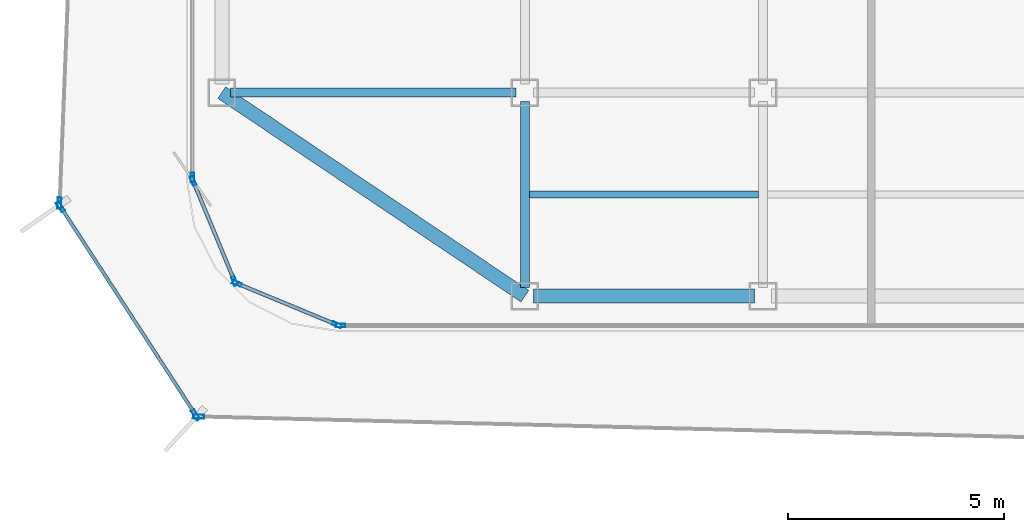
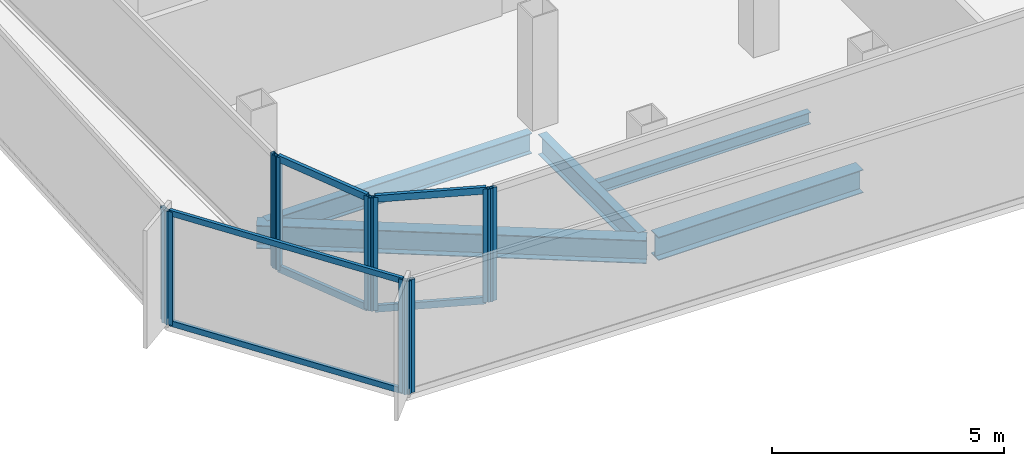
# One storey, part 2 of 15: 16 members, 5 beams, 7 elements without a shape of their own.
"""IFC4 building model written with IfcOpenShell, lengths in metres."""

import ifcopenshell
import ifcopenshell.guid

model = None  # the IFC model being written
_history = None  # IfcOwnerHistory: only IFC2X3 demands one
_inside = {}  # id of a spatial element -> (the spatial element, [elements in it])
_under = {}  # id of a project, library or spatial element -> (it, [spatial elements below it])
_declared = {}  # id of a project -> (the project, [libraries it declares])
_typed = {}  # id of a type object -> (the type object, [elements of that type])
_made_of = {}  # id of a material, layer set ... -> (it, [elements and type objects made of it])


def new_model(schema):
    """Start an empty IFC model of exactly this schema.

    Asked for "IFC4X3", IfcOpenShell would pick the latest addendum, in which some entities
    have other attributes; the version numbers below select the first issue.
    IFC2X3 requires an IfcOwnerHistory on every rooted entity: one is made here for all.
    """
    global model, _history
    if schema == "IFC4X3":
        model = ifcopenshell.file(schema_version=(4, 3, 0, 0))
    else:
        model = ifcopenshell.file(schema=schema)
    _inside.clear()
    _under.clear()
    _declared.clear()
    _typed.clear()
    _made_of.clear()
    _history = None
    if model.schema == "IFC2X3":
        org = make("IfcOrganization", Name="unknown")
        user = make(
            "IfcPersonAndOrganization",
            ThePerson=make("IfcPerson", FamilyName="unknown"),
            TheOrganization=org,
        )
        app = make(
            "IfcApplication",
            ApplicationDeveloper=org,
            Version="unknown",
            ApplicationFullName="unknown",
            ApplicationIdentifier="unknown",
        )
        _history = make(
            "IfcOwnerHistory",
            OwningUser=user,
            OwningApplication=app,
            ChangeAction="ADDED",
            CreationDate=0,
        )
    return model


def make(cls, **values):
    """One entity of the class cls with the attributes given. An attribute that is None is left unset."""
    return model.create_entity(
        cls, **{name: value for name, value in values.items() if value is not None}
    )


def rooted(cls, **values):
    """An entity with a GlobalId (a new one), such as an element, a storey or a relation."""
    return make(cls, GlobalId=ifcopenshell.guid.new(), OwnerHistory=_history, **values)


def si_unit(unit_type, name, prefix=None):
    """IfcSIUnit, for example si_unit("LENGTHUNIT", "METRE", prefix="MILLI")."""
    return make("IfcSIUnit", UnitType=unit_type, Prefix=prefix, Name=name)


def assignment(units):
    """IfcUnitAssignment: the units of a project."""
    return None if units is None else make("IfcUnitAssignment", Units=units)


def point(xyz):
    """IfcCartesianPoint."""
    return None if xyz is None else make("IfcCartesianPoint", Coordinates=xyz)


def direction(xyz):
    """IfcDirection."""
    return None if xyz is None else make("IfcDirection", DirectionRatios=xyz)


def frame(location, z_axis=None, x_axis=None):
    """IfcAxis2Placement3D, a coordinate frame: its origin and axes. An axis left out is left unset."""
    return make(
        "IfcAxis2Placement3D",
        Location=point(location),
        Axis=direction(z_axis),
        RefDirection=direction(x_axis),
    )


def frame_2d(location, x_axis=None):
    """IfcAxis2Placement2D, a coordinate frame in the plane: its origin and x axis."""
    return make(
        "IfcAxis2Placement2D", Location=point(location), RefDirection=direction(x_axis)
    )


def origin():
    """The frame at (0, 0, 0) with its axes left unset."""
    return frame((0.0, 0.0, 0.0))


def origin_2d():
    """The frame at (0, 0) in the plane with its x axis left unset."""
    return frame_2d((0.0, 0.0))


def place(relative_to, where):
    """IfcLocalPlacement: puts the frame where relative to a parent placement (None: the world)."""
    return make(
        "IfcLocalPlacement", PlacementRelTo=relative_to, RelativePlacement=where
    )


def context(
    kind, dimensions, precision=None, world=None, true_north=None, identifier=None
):
    """IfcGeometricRepresentationContext, for example the 3D "Model" context."""
    return make(
        "IfcGeometricRepresentationContext",
        ContextIdentifier=identifier,
        ContextType=kind,
        CoordinateSpaceDimension=dimensions,
        Precision=precision,
        WorldCoordinateSystem=world,
        TrueNorth=true_north,
    )


def subcontext(parent, identifier, kind, view, scale=None):
    """IfcGeometricRepresentationSubContext, for example "Body" below "Model"."""
    return make(
        "IfcGeometricRepresentationSubContext",
        ContextIdentifier=identifier,
        ContextType=kind,
        ParentContext=parent,
        TargetScale=scale,
        TargetView=view,
    )


def project(units=None, contexts=None):
    """IfcProject with its units and contexts."""
    return rooted(
        "IfcProject",
        Name="project",
        RepresentationContexts=contexts,
        UnitsInContext=assignment(units),
    )


def spatial(cls, under=None, at=None, **own):
    """A site, building, storey or space (cls), placed at a placement, below another one or the project."""
    s = rooted(cls, ObjectPlacement=at, **own)
    if under is not None:
        _under.setdefault(under.id(), (under, []))[1].append(s)
    return s


def profile(cls, at=None, kind="AREA", **sizes):
    """A parametric profile (cls). Its sizes go by their IFC names, for example OverallWidth=200.0."""
    return make(cls, ProfileType=kind, Position=at, **sizes)


def hollow_rectangle(**sizes):
    """IfcRectangleHollowProfileDef."""
    return profile("IfcRectangleHollowProfileDef", **sizes)


def i_section(**sizes):
    """IfcIShapeProfileDef."""
    return profile("IfcIShapeProfileDef", **sizes)


def extrude(swept, where, along, depth):
    """IfcExtrudedAreaSolid: the profile swept, set in the frame where, extruded along a direction by depth."""
    return make(
        "IfcExtrudedAreaSolid",
        SweptArea=swept,
        Position=where,
        ExtrudedDirection=direction(along),
        Depth=depth,
    )


def shape(context_of_items, identifier, shape_type, items):
    """IfcShapeRepresentation: the items that make up one representation, for example the "Body"."""
    return make(
        "IfcShapeRepresentation",
        ContextOfItems=context_of_items,
        RepresentationIdentifier=identifier,
        RepresentationType=shape_type,
        Items=items,
    )


def source(mapping_origin, context_of_items, identifier, shape_type, items):
    """IfcRepresentationMap: a shape defined once, which mapped items show again and again."""
    return make(
        "IfcRepresentationMap",
        MappingOrigin=mapping_origin,
        MappedRepresentation=shape(context_of_items, identifier, shape_type, items),
    )


def transform(
    local_origin,
    x_axis=None,
    y_axis=None,
    z_axis=None,
    scale=None,
    scale2=None,
    scale3=None,
    uniform=True,
):
    """IfcCartesianTransformationOperator3D, or its non-uniform kind. x_axis, y_axis, z_axis: its Axis1, 2, 3."""
    if uniform:
        return make(
            "IfcCartesianTransformationOperator3D",
            Axis1=direction(x_axis),
            Axis2=direction(y_axis),
            LocalOrigin=point(local_origin),
            Scale=scale,
            Axis3=direction(z_axis),
        )
    return make(
        "IfcCartesianTransformationOperator3DnonUniform",
        Axis1=direction(x_axis),
        Axis2=direction(y_axis),
        LocalOrigin=point(local_origin),
        Scale=scale,
        Axis3=direction(z_axis),
        Scale2=scale2,
        Scale3=scale3,
    )


def mapped(mapping_source, mapping_target):
    """IfcMappedItem: shows the shape of a source again, moved by a transform."""
    return make(
        "IfcMappedItem", MappingSource=mapping_source, MappingTarget=mapping_target
    )


def material(Name=None, Category=None):
    """IfcMaterial."""
    return make("IfcMaterial", Name=Name, Category=Category)


def layer(
    of_material, thickness, ventilated=None, Name=None, Category=None, Priority=None
):
    """IfcMaterialLayer: one layer of a wall or slab, of a material (None: an air gap)."""
    return make(
        "IfcMaterialLayer",
        Material=of_material,
        LayerThickness=thickness,
        IsVentilated=ventilated,
        Name=Name,
        Category=Category,
        Priority=Priority,
    )


def layer_set(layers, Name=None):
    """IfcMaterialLayerSet."""
    return make("IfcMaterialLayerSet", MaterialLayers=layers, LayerSetName=Name)


def material_profile(
    of_material, cross_section, Name=None, Category=None, Priority=None
):
    """IfcMaterialProfile: a cross section and its material."""
    return make(
        "IfcMaterialProfile",
        Name=Name,
        Material=of_material,
        Profile=cross_section,
        Priority=Priority,
        Category=Category,
    )


def profile_set(profiles, Name=None, composite=None):
    """IfcMaterialProfileSet."""
    return make(
        "IfcMaterialProfileSet",
        Name=Name,
        MaterialProfiles=profiles,
        CompositeProfile=composite,
    )


def made_of(thing, what):
    """Note that an element or type object is made of a material, layer set ...; save() writes the relation."""
    if what is not None:
        _made_of.setdefault(what.id(), (what, []))[1].append(thing)
    return thing


def type_object(cls, material=None, **own):
    """A type object (cls), such as IfcWallType, which elements share."""
    return made_of(rooted(cls, **own), material)


def element(
    cls,
    number,
    at=None,
    inside=None,
    cuts=None,
    type_object=None,
    material=None,
    context=None,
    identifier="Body",
    shape_type=None,
    held_by="IfcProductDefinitionShape",
    body=None,
    shapes=None,
    **own,
):
    """One element of the class cls, such as IfcWall. Its Tag is "e" and its number.

    at: its placement. inside: the storey or other place that contains it. cuts: it is an
    opening in that element (IfcRelVoidsElement). A single representation is given by context,
    identifier, shape_type and body (its items); several are given by shapes. held_by: the class
    of the entity that holds the representations. save() writes the other relations.
    """
    e = rooted(cls, Tag="e%d" % number, ObjectPlacement=at, **own)
    if body is not None:
        shapes = [shape(context, identifier, shape_type, body)]
    if shapes is not None:
        e.Representation = make(held_by, Representations=shapes)
    if inside is not None:
        _inside.setdefault(inside.id(), (inside, []))[1].append(e)
    if cuts is not None:
        rooted(
            "IfcRelVoidsElement", RelatingBuildingElement=cuts, RelatedOpeningElement=e
        )
    if type_object is not None:
        _typed.setdefault(type_object.id(), (type_object, []))[1].append(e)
    return made_of(e, material)


def aggregate(whole, parts):
    """IfcRelAggregates: a whole, such as a stair, and the parts it consists of."""
    return rooted("IfcRelAggregates", RelatingObject=whole, RelatedObjects=parts)


def save(model, path):
    """Write the relations noted so far, then the file.

    IfcRelAggregates (storeys below a building ...), IfcRelContainedInSpatialStructure (elements
    in a storey), IfcRelDefinesByType, IfcRelAssociatesMaterial and IfcRelDeclares: one each for
    every whole, place, type object, material and project.
    """
    for whole, parts in _under.values():
        aggregate(whole, parts)
    for where, things in _inside.values():
        rooted(
            "IfcRelContainedInSpatialStructure",
            RelatedElements=things,
            RelatingStructure=where,
        )
    for kind, things in _typed.values():
        rooted("IfcRelDefinesByType", RelatedObjects=things, RelatingType=kind)
    for what, things in _made_of.values():
        rooted("IfcRelAssociatesMaterial", RelatedObjects=things, RelatingMaterial=what)
    for by, libraries in _declared.values():
        rooted("IfcRelDeclares", RelatingContext=by, RelatedDefinitions=libraries)
    model.write(path)


model = new_model("IFC4")

# Units and contexts
model_context = context("Model", 3, precision=1e-05, world=origin(), true_north=direction((0.0, 1.0)))
body_context = subcontext(model_context, "Body", "Model", "MODEL_VIEW")
ifc_project = project(units=[si_unit("LENGTHUNIT", "METRE"), si_unit("AREAUNIT", "SQUARE_METRE"), si_unit("VOLUMEUNIT", "CUBIC_METRE"), si_unit("PLANEANGLEUNIT", "RADIAN"), si_unit("MASSUNIT", "GRAM", prefix="KILO")], contexts=[model_context])

# Site, building, storey
site_placement = place(None, origin())
site = spatial("IfcSite", under=ifc_project, at=site_placement, CompositionType="ELEMENT")
building_placement = place(site_placement, origin())
building = spatial("IfcBuilding", under=site, at=building_placement, Name="Kolveth Station Tower", CompositionType="ELEMENT")
storey_placement = place(building_placement, frame((0.0, 0.0, 268.10009765625)))
storey = spatial("IfcBuildingStorey", under=building, at=storey_placement, Name="L77", CompositionType="ELEMENT", Elevation=268.10009765625)

# Beams
ifc_material_1 = material(Name="Steel S355", Category="steel")
ifc_material_profile_1 = material_profile(ifc_material_1, i_section(OverallWidth=0.323974609375, OverallDepth=0.611083984375, WebThickness=0.0126953125, FlangeThickness=0.01904296875, at=origin_2d()), Name="W610x155")
ifc_profile_set_1 = profile_set([ifc_material_profile_1], Name="Steel S355")
beam_type_1 = type_object("IfcBeamType", Name="Beam_SP2", PredefinedType="SPANDREL", material=ifc_profile_set_1)
shared_shape_1 = source(origin(), body_context, "Body", "SweptSolid", [
    extrude(i_section(OverallWidth=0.323974609375, OverallDepth=0.611083984375, WebThickness=0.0126953125, FlangeThickness=0.01904296875, at=origin_2d()), origin(), (0.0, 0.0, 1.0), 8.431396484375),
])
beam_1_placement = place(storey_placement, frame((6.0, 5.5, -0.525634765625), z_axis=(0.830223811004, -0.557430196206, 0.0), x_axis=(0.557430196206, 0.830223811004, 0.0)))
element("IfcBeam", 1, at=beam_1_placement, inside=storey, type_object=beam_type_1, Name="L77 Corner Edge Girder BM-L77-CNR-SW", PredefinedType="SPANDREL", context=body_context, shape_type="MappedRepresentation", body=[
    mapped(shared_shape_1, transform((0.0, 0.0, 0.0), x_axis=(1.0, 0.0, 0.0), y_axis=(0.0, 1.0, 0.0), z_axis=(0.0, 0.0, 1.0), scale=1.0)),
])
shared_shape_2 = source(origin(), body_context, "Body", "SweptSolid", [
    extrude(i_section(OverallWidth=0.323974609375, OverallDepth=0.611083984375, WebThickness=0.0126953125, FlangeThickness=0.01904296875, at=origin_2d()), origin(), (0.0, 0.0, 1.0), 5.10009765625),
])
beam_2_placement = place(storey_placement, frame((13.199951171875, 0.800048828125, -0.525634765625), z_axis=(1.0, 0.0, 0.0), x_axis=(0.0, 1.0, 0.0)))
element("IfcBeam", 2, at=beam_2_placement, inside=storey, type_object=beam_type_1, Name="L77 Perimeter Spandrel BM-L77-PS-1", PredefinedType="SPANDREL", context=body_context, shape_type="MappedRepresentation", body=[
    mapped(shared_shape_2, transform((0.0, 0.0, 0.0), x_axis=(1.0, 0.0, 0.0), y_axis=(0.0, 1.0, 0.0), z_axis=(0.0, 0.0, 1.0), scale=1.0)),
])
ifc_material_profile_2 = material_profile(ifc_material_1, i_section(OverallWidth=0.2099609375, OverallDepth=0.537109375, WebThickness=0.010986328125, FlangeThickness=0.017333984375, at=origin_2d()), Name="W530x101")
ifc_profile_set_2 = profile_set([ifc_material_profile_2], Name="Steel S355")
beam_type_2 = type_object("IfcBeamType", Name="Beam_B6", PredefinedType="BEAM", material=ifc_profile_set_2)
shared_shape_3 = source(origin(), body_context, "Body", "SweptSolid", [
    extrude(i_section(OverallWidth=0.2099609375, OverallDepth=0.537109375, WebThickness=0.010986328125, FlangeThickness=0.017333984375, at=origin_2d()), origin(), (0.0, 0.0, 1.0), 6.60009765625),
])
beam_3_placement = place(storey_placement, frame((6.199951171875, 5.5, -0.488525390625), z_axis=(1.0, 0.0, 0.0), x_axis=(0.0, 1.0, 0.0)))
element("IfcBeam", 3, at=beam_3_placement, inside=storey, type_object=beam_type_2, Name="L77 Primary Girder BM-L77-GY55-1", PredefinedType="BEAM", context=body_context, shape_type="MappedRepresentation", body=[
    mapped(shared_shape_3, transform((0.0, 0.0, 0.0), x_axis=(1.0, 0.0, 0.0), y_axis=(0.0, 1.0, 0.0), z_axis=(0.0, 0.0, 1.0), scale=1.0)),
])
shared_shape_4 = source(origin(), body_context, "Body", "SweptSolid", [
    extrude(i_section(OverallWidth=0.2099609375, OverallDepth=0.537109375, WebThickness=0.010986328125, FlangeThickness=0.017333984375, at=origin_2d()), origin(), (0.0, 0.0, 1.0), 4.300048828125),
])
beam_4_placement = place(storey_placement, frame((13.0, 1.0, -0.488525390625), z_axis=(0.0, 1.0, 0.0), x_axis=(-1.0, 0.0, 0.0)))
element("IfcBeam", 4, at=beam_4_placement, inside=storey, type_object=beam_type_2, Name="L77 Primary Girder BM-L77-GX130-1", PredefinedType="BEAM", context=body_context, shape_type="MappedRepresentation", body=[
    mapped(shared_shape_4, transform((0.0, 0.0, 0.0), x_axis=(1.0, 0.0, 0.0), y_axis=(0.0, 1.0, 0.0), z_axis=(0.0, 0.0, 1.0), scale=1.0)),
])
ifc_material_profile_3 = material_profile(ifc_material_1, i_section(OverallWidth=0.1650390625, OverallDepth=0.31005859375, WebThickness=0.005859375, FlangeThickness=0.009765625, at=origin_2d()), Name="W310x39")
ifc_profile_set_3 = profile_set([ifc_material_profile_3], Name="Steel S355")
beam_type_3 = type_object("IfcBeamType", Name="Beam_J3", PredefinedType="JOIST", material=ifc_profile_set_3)
shared_shape_5 = source(origin(), body_context, "Body", "SweptSolid", [
    extrude(i_section(OverallWidth=0.1650390625, OverallDepth=0.31005859375, WebThickness=0.005859375, FlangeThickness=0.009765625, at=origin_2d()), origin(), (0.0, 0.0, 1.0), 5.2939453125),
])
beam_5_placement = place(storey_placement, frame((13.10302734375, 3.14990234375, -0.375), z_axis=(1.0, 0.0, 0.0), x_axis=(0.0, 1.0, 0.0)))
element("IfcBeam", 5, at=beam_5_placement, inside=storey, type_object=beam_type_3, Name="L77 Secondary Joist JST-L77-2-1", PredefinedType="JOIST", context=body_context, shape_type="MappedRepresentation", body=[
    mapped(shared_shape_5, transform((0.0, 0.0, 0.0), x_axis=(1.0, 0.0, 0.0), y_axis=(0.0, 1.0, 0.0), z_axis=(0.0, 0.0, 1.0), scale=1.0)),
])

# Curtain wall, member
ifc_material_2 = material(Name="Aluminium 6063-T6 and triple low-E dark glass", Category="aluminium")
ifc_layer_1 = layer(ifc_material_2, 0.199951171875)
ifc_layer_set_1 = layer_set([ifc_layer_1], Name="Aluminium 6063-T6 and triple low-E dark glass")
curtain_wall_type_1 = type_object("IfcCurtainWallType", Name="CurtainWall_CW-Z3", PredefinedType="NOTDEFINED", material=ifc_layer_set_1)
curtain_wall_1_placement = place(storey_placement, origin())
curtain_wall_1 = element("IfcCurtainWall", 6, at=curtain_wall_1_placement, inside=storey, type_object=curtain_wall_type_1, Name="L77 Inner Thermal Curtain Wall 9", PredefinedType="NOTDEFINED")
ifc_material_3 = material(Name="Black anodized aluminium 6063-T6", Category="aluminium")
ifc_material_profile_4 = material_profile(ifc_material_3, hollow_rectangle(XDim=0.0849609375, YDim=0.215087890625, WallThickness=0.0048828125, at=origin_2d()), Name="ALU-85x215x5")
ifc_profile_set_4 = profile_set([ifc_material_profile_4], Name="Black anodized aluminium 6063-T6")
member_type_1 = type_object("IfcMemberType", Name="Mullion_ML3", PredefinedType="MULLION", material=ifc_profile_set_4)
shared_shape_6 = source(origin(), body_context, "Body", "SweptSolid", [
    extrude(hollow_rectangle(XDim=0.0849609375, YDim=0.215087890625, WallThickness=0.0048828125, at=origin_2d()), origin(), (0.0, 0.0, 1.0), 2.97998046875),
])
member_1_placement = place(storey_placement, frame((5.320068359375, 3.54248046875, 0.0), z_axis=(0.0, 0.0, 1.0), x_axis=(1.0, 0.0, 0.0)))
member_1 = element("IfcMember", 7, at=member_1_placement, type_object=member_type_1, Name="CW-Z3 mullion 2", PredefinedType="MULLION", context=body_context, shape_type="MappedRepresentation", body=[
    mapped(shared_shape_6, transform((0.0, 0.0, 0.0), x_axis=(1.0, 0.0, 0.0), y_axis=(0.0, 1.0, 0.0), z_axis=(0.0, 0.0, 1.0), scale=1.0)),
])
aggregate(curtain_wall_1, [member_1])

# Curtain wall, members
curtain_wall_2_placement = place(storey_placement, origin())
curtain_wall_2 = element("IfcCurtainWall", 8, at=curtain_wall_2_placement, inside=storey, type_object=curtain_wall_type_1, Name="L77 Inner Thermal Curtain Wall 10", PredefinedType="NOTDEFINED")
member_2_placement = place(storey_placement, frame((5.336181640625, 3.460693359375, 0.0), z_axis=(0.0, 0.0, 1.0), x_axis=(0.923875488975, 0.382693194181, 0.0)))
member_2 = element("IfcMember", 9, at=member_2_placement, type_object=member_type_1, Name="CW-Z3 mullion 1", PredefinedType="MULLION", context=body_context, shape_type="MappedRepresentation", body=[
    mapped(shared_shape_6, transform((0.0, 0.0, 0.0), x_axis=(1.0, 0.0, 0.0), y_axis=(0.0, 1.0, 0.0), z_axis=(0.0, 0.0, 1.0), scale=1.0)),
])
member_3_placement = place(storey_placement, frame((6.293701171875, 1.149169921875, 0.0), z_axis=(0.0, 0.0, 1.0), x_axis=(0.923875488975, 0.382693194181, 0.0)))
member_3 = element("IfcMember", 10, at=member_3_placement, type_object=member_type_1, Name="CW-Z3 mullion 2", PredefinedType="MULLION", context=body_context, shape_type="MappedRepresentation", body=[
    mapped(shared_shape_6, transform((0.0, 0.0, 0.0), x_axis=(1.0, 0.0, 0.0), y_axis=(0.0, 1.0, 0.0), z_axis=(0.0, 0.0, 1.0), scale=1.0)),
])

curtain_wall_3_placement = place(storey_placement, origin())
curtain_wall_3 = element("IfcCurtainWall", 11, at=curtain_wall_3_placement, inside=storey, type_object=curtain_wall_type_1, Name="L77 Inner Thermal Curtain Wall 11", PredefinedType="NOTDEFINED")
member_4_placement = place(storey_placement, frame((6.349365234375, 1.09375, 0.0), z_axis=(0.0, 0.0, 1.0), x_axis=(0.382693194181, 0.923875488975, 0.0)))
member_4 = element("IfcMember", 12, at=member_4_placement, type_object=member_type_1, Name="CW-Z3 mullion 1", PredefinedType="MULLION", context=body_context, shape_type="MappedRepresentation", body=[
    mapped(shared_shape_6, transform((0.0, 0.0, 0.0), x_axis=(1.0, 0.0, 0.0), y_axis=(0.0, 1.0, 0.0), z_axis=(0.0, 0.0, 1.0), scale=1.0)),
])
member_5_placement = place(storey_placement, frame((8.66064453125, 0.13623046875, 0.0), z_axis=(0.0, 0.0, 1.0), x_axis=(0.382693194181, 0.923875488975, 0.0)))
member_5 = element("IfcMember", 13, at=member_5_placement, type_object=member_type_1, Name="CW-Z3 mullion 2", PredefinedType="MULLION", context=body_context, shape_type="MappedRepresentation", body=[
    mapped(shared_shape_6, transform((0.0, 0.0, 0.0), x_axis=(1.0, 0.0, 0.0), y_axis=(0.0, 1.0, 0.0), z_axis=(0.0, 0.0, 1.0), scale=1.0)),
])

# Curtain wall, member
curtain_wall_4_placement = place(storey_placement, origin())
curtain_wall_4 = element("IfcCurtainWall", 14, at=curtain_wall_4_placement, inside=storey, type_object=curtain_wall_type_1, Name="L77 Inner Thermal Curtain Wall 12", PredefinedType="NOTDEFINED")
member_6_placement = place(storey_placement, frame((8.742431640625, 0.1201171875, 0.0), z_axis=(0.0, 0.0, 1.0), x_axis=(0.0, 1.0, 0.0)))
member_6 = element("IfcMember", 15, at=member_6_placement, type_object=member_type_1, Name="CW-Z3 mullion 1", PredefinedType="MULLION", context=body_context, shape_type="MappedRepresentation", body=[
    mapped(shared_shape_6, transform((0.0, 0.0, 0.0), x_axis=(1.0, 0.0, 0.0), y_axis=(0.0, 1.0, 0.0), z_axis=(0.0, 0.0, 1.0), scale=1.0)),
])
aggregate(curtain_wall_4, [member_6])

# Member
ifc_material_profile_5 = material_profile(ifc_material_3, hollow_rectangle(XDim=0.0849609375, YDim=0.179931640625, WallThickness=0.0048828125, at=origin_2d()), Name="ALU-85x180x5")
ifc_profile_set_5 = profile_set([ifc_material_profile_5], Name="Black anodized aluminium 6063-T6")
member_type_2 = type_object("IfcMemberType", Name="Transom_TR3", PredefinedType="USERDEFINED", material=ifc_profile_set_5)
shared_shape_7 = source(origin(), body_context, "Body", "SweptSolid", [
    extrude(hollow_rectangle(XDim=0.0849609375, YDim=0.179931640625, WallThickness=0.0048828125, at=origin_2d()), origin(), (0.0, 0.0, 1.0), 2.4169921875),
])
member_7_placement = place(storey_placement, frame((5.3525390625, 3.42138671875, 0.04248046875), z_axis=(0.382735401206, -0.9238580046, 0.0), x_axis=(0.9238580046, 0.382735401206, 0.0)))
member_7 = element("IfcMember", 16, at=member_7_placement, type_object=member_type_2, Name="CW-Z3 transom 1.1", ObjectType="TRANSOM", PredefinedType="USERDEFINED", context=body_context, shape_type="MappedRepresentation", body=[
    mapped(shared_shape_7, transform((0.0, 0.0, 0.0), x_axis=(1.0, 0.0, 0.0), y_axis=(0.0, 1.0, 0.0), z_axis=(0.0, 0.0, 1.0), scale=1.0)),
])

member_8_placement = place(storey_placement, frame((5.3525390625, 3.42138671875, 2.9375), z_axis=(0.382735401206, -0.9238580046, 0.0), x_axis=(0.9238580046, 0.382735401206, 0.0)))
member_8 = element("IfcMember", 17, at=member_8_placement, type_object=member_type_2, Name="CW-Z3 transom 1.2", ObjectType="TRANSOM", PredefinedType="USERDEFINED", context=body_context, shape_type="MappedRepresentation", body=[
    mapped(shared_shape_7, transform((0.0, 0.0, 0.0), x_axis=(1.0, 0.0, 0.0), y_axis=(0.0, 1.0, 0.0), z_axis=(0.0, 0.0, 1.0), scale=1.0)),
])

aggregate(curtain_wall_2, [member_2, member_3, member_7, member_8])

member_9_placement = place(storey_placement, frame((6.388427734375, 1.077392578125, 0.04248046875), z_axis=(0.923908507952, -0.382613471971, 0.0), x_axis=(0.382613471971, 0.923908507952, 0.0)))
member_9 = element("IfcMember", 18, at=member_9_placement, type_object=member_type_2, Name="CW-Z3 transom 1.1", ObjectType="TRANSOM", PredefinedType="USERDEFINED", context=body_context, shape_type="MappedRepresentation", body=[
    mapped(shared_shape_7, transform((0.0, 0.0, 0.0), x_axis=(1.0, 0.0, 0.0), y_axis=(0.0, 1.0, 0.0), z_axis=(0.0, 0.0, 1.0), scale=1.0)),
])

member_10_placement = place(storey_placement, frame((6.388427734375, 1.077392578125, 2.9375), z_axis=(0.923908507952, -0.382613471971, 0.0), x_axis=(0.382613471971, 0.923908507952, 0.0)))
member_10 = element("IfcMember", 19, at=member_10_placement, type_object=member_type_2, Name="CW-Z3 transom 1.2", ObjectType="TRANSOM", PredefinedType="USERDEFINED", context=body_context, shape_type="MappedRepresentation", body=[
    mapped(shared_shape_7, transform((0.0, 0.0, 0.0), x_axis=(1.0, 0.0, 0.0), y_axis=(0.0, 1.0, 0.0), z_axis=(0.0, 0.0, 1.0), scale=1.0)),
])

aggregate(curtain_wall_3, [member_4, member_5, member_9, member_10])

# Curtain wall, member
ifc_material_4 = material(Name="Black anodized aluminium 6063-T6 and dark solar glass", Category="aluminium")
ifc_layer_2 = layer(ifc_material_4, 0.159912109375)
ifc_layer_set_2 = layer_set([ifc_layer_2], Name="Black anodized aluminium 6063-T6 and dark solar glass")
curtain_wall_type_2 = type_object("IfcCurtainWallType", Name="OUTER SKIN CW-OS", PredefinedType="NOTDEFINED", material=ifc_layer_set_2)
curtain_wall_5_placement = place(storey_placement, origin())
curtain_wall_5 = element("IfcCurtainWall", 20, at=curtain_wall_5_placement, inside=storey, type_object=curtain_wall_type_2, Name="L77 Outer Ventilated Skin Curtain Wall 6", PredefinedType="NOTDEFINED")
ifc_material_profile_6 = material_profile(ifc_material_3, hollow_rectangle(XDim=0.090087890625, YDim=0.260009765625, WallThickness=0.0048828125, at=origin_2d()), Name="ALU-90x260x5")
ifc_profile_set_6 = profile_set([ifc_material_profile_6], Name="Black anodized aluminium 6063-T6")
member_type_3 = type_object("IfcMemberType", Name="FIN MULLION ML-OS", PredefinedType="MULLION", material=ifc_profile_set_6)
shared_shape_8 = source(origin(), body_context, "Body", "SweptSolid", [
    extrude(hollow_rectangle(XDim=0.090087890625, YDim=0.260009765625, WallThickness=0.0048828125, at=origin_2d()), origin(), (0.0, 0.0, 1.0), 2.97998046875),
])
member_11_placement = place(storey_placement, frame((2.25, 2.948486328125, 0.0), z_axis=(0.0, 0.0, 1.0), x_axis=(0.999214682363, -0.039623459591, 0.0)))
member_11 = element("IfcMember", 21, at=member_11_placement, type_object=member_type_3, Name="CW-OS mullion 2", PredefinedType="MULLION", context=body_context, shape_type="MappedRepresentation", body=[
    mapped(shared_shape_8, transform((0.0, 0.0, 0.0), x_axis=(1.0, 0.0, 0.0), y_axis=(0.0, 1.0, 0.0), z_axis=(0.0, 0.0, 1.0), scale=1.0)),
])
aggregate(curtain_wall_5, [member_11])

# Curtain wall, members
curtain_wall_6_placement = place(storey_placement, origin())
curtain_wall_6 = element("IfcCurtainWall", 22, at=curtain_wall_6_placement, inside=storey, type_object=curtain_wall_type_2, Name="L77 Outer Ventilated Skin Curtain Wall 7", PredefinedType="NOTDEFINED")
member_12_placement = place(storey_placement, frame((2.272705078125, 2.865966796875, 0.0), z_axis=(0.0, 0.0, 1.0), x_axis=(0.838735651657, 0.544538801776, 0.0)))
member_12 = element("IfcMember", 23, at=member_12_placement, type_object=member_type_3, Name="CW-OS mullion 1", PredefinedType="MULLION", context=body_context, shape_type="MappedRepresentation", body=[
    mapped(shared_shape_8, transform((0.0, 0.0, 0.0), x_axis=(1.0, 0.0, 0.0), y_axis=(0.0, 1.0, 0.0), z_axis=(0.0, 0.0, 1.0), scale=1.0)),
])
member_13_placement = place(storey_placement, frame((5.396240234375, -1.945068359375, 0.0), z_axis=(0.0, 0.0, 1.0), x_axis=(0.838735651657, 0.544538801776, 0.0)))
member_13 = element("IfcMember", 24, at=member_13_placement, type_object=member_type_3, Name="CW-OS mullion 2", PredefinedType="MULLION", context=body_context, shape_type="MappedRepresentation", body=[
    mapped(shared_shape_8, transform((0.0, 0.0, 0.0), x_axis=(1.0, 0.0, 0.0), y_axis=(0.0, 1.0, 0.0), z_axis=(0.0, 0.0, 1.0), scale=1.0)),
])

# Curtain wall, member
curtain_wall_7_placement = place(storey_placement, origin())
curtain_wall_7 = element("IfcCurtainWall", 25, at=curtain_wall_7_placement, inside=storey, type_object=curtain_wall_type_2, Name="L77 Outer Ventilated Skin Curtain Wall 8", PredefinedType="NOTDEFINED")
member_14_placement = place(storey_placement, frame((5.4658203125, -1.984130859375, 0.0), z_axis=(0.0, 0.0, 1.0), x_axis=(0.024970179426, 0.999688196459, 0.0)))
member_14 = element("IfcMember", 26, at=member_14_placement, type_object=member_type_3, Name="CW-OS mullion 1", PredefinedType="MULLION", context=body_context, shape_type="MappedRepresentation", body=[
    mapped(shared_shape_8, transform((0.0, 0.0, 0.0), x_axis=(1.0, 0.0, 0.0), y_axis=(0.0, 1.0, 0.0), z_axis=(0.0, 0.0, 1.0), scale=1.0)),
])
aggregate(curtain_wall_7, [member_14])

# Member
ifc_material_profile_7 = material_profile(ifc_material_3, hollow_rectangle(XDim=0.080078125, YDim=0.14990234375, WallThickness=0.0048828125, at=origin_2d()), Name="ALU-80x150x5")
ifc_profile_set_7 = profile_set([ifc_material_profile_7], Name="Black anodized aluminium 6063-T6")
member_type_4 = type_object("IfcMemberType", Name="Transom_TR-OS", PredefinedType="USERDEFINED", material=ifc_profile_set_7)
shared_shape_9 = source(origin(), body_context, "Body", "SweptSolid", [
    extrude(hollow_rectangle(XDim=0.080078125, YDim=0.14990234375, WallThickness=0.0048828125, at=origin_2d()), origin(), (0.0, 0.0, 1.0), 5.64599609375),
])
member_15_placement = place(storey_placement, frame((2.29736328125, 2.828125, 0.039794921875), z_axis=(0.544530783837, -0.83874085715, 0.0), x_axis=(0.83874085715, 0.544530783837, 0.0)))
member_15 = element("IfcMember", 27, at=member_15_placement, type_object=member_type_4, Name="CW-OS transom 1.1", ObjectType="TRANSOM", PredefinedType="USERDEFINED", context=body_context, shape_type="MappedRepresentation", body=[
    mapped(shared_shape_9, transform((0.0, 0.0, 0.0), x_axis=(1.0, 0.0, 0.0), y_axis=(0.0, 1.0, 0.0), z_axis=(0.0, 0.0, 1.0), scale=1.0)),
])

member_16_placement = place(storey_placement, frame((2.29736328125, 2.828125, 2.93994140625), z_axis=(0.544530783837, -0.83874085715, 0.0), x_axis=(0.83874085715, 0.544530783837, 0.0)))
member_16 = element("IfcMember", 28, at=member_16_placement, type_object=member_type_4, Name="CW-OS transom 1.2", ObjectType="TRANSOM", PredefinedType="USERDEFINED", context=body_context, shape_type="MappedRepresentation", body=[
    mapped(shared_shape_9, transform((0.0, 0.0, 0.0), x_axis=(1.0, 0.0, 0.0), y_axis=(0.0, 1.0, 0.0), z_axis=(0.0, 0.0, 1.0), scale=1.0)),
])

aggregate(curtain_wall_6, [member_12, member_13, member_15, member_16])

save(model, "model.ifc")
